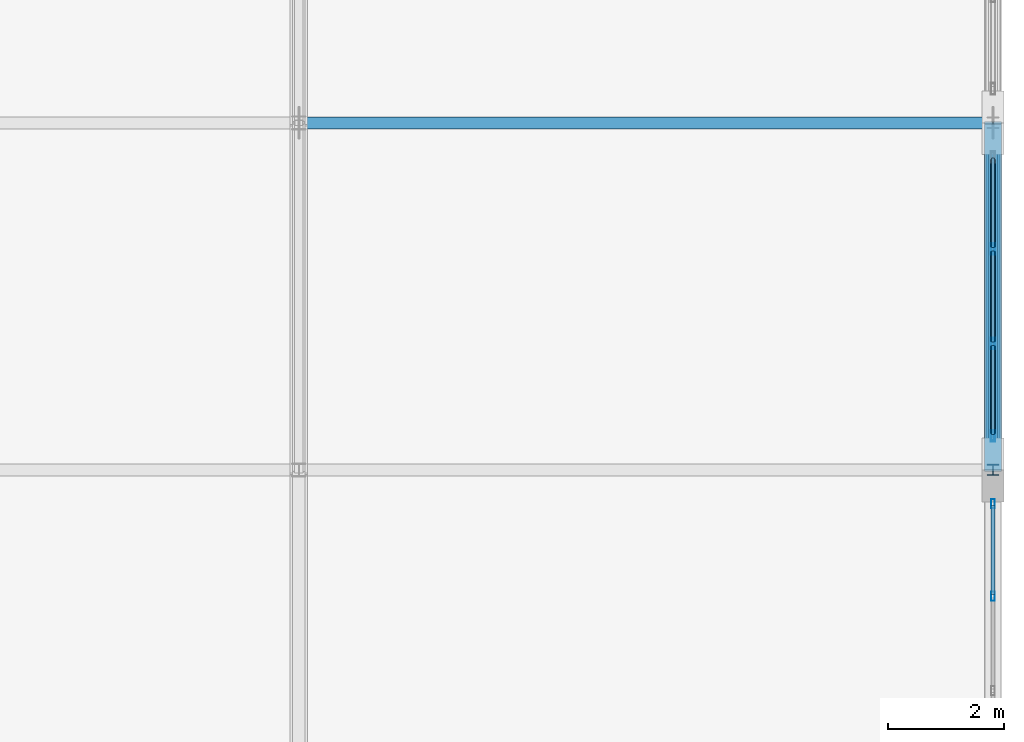
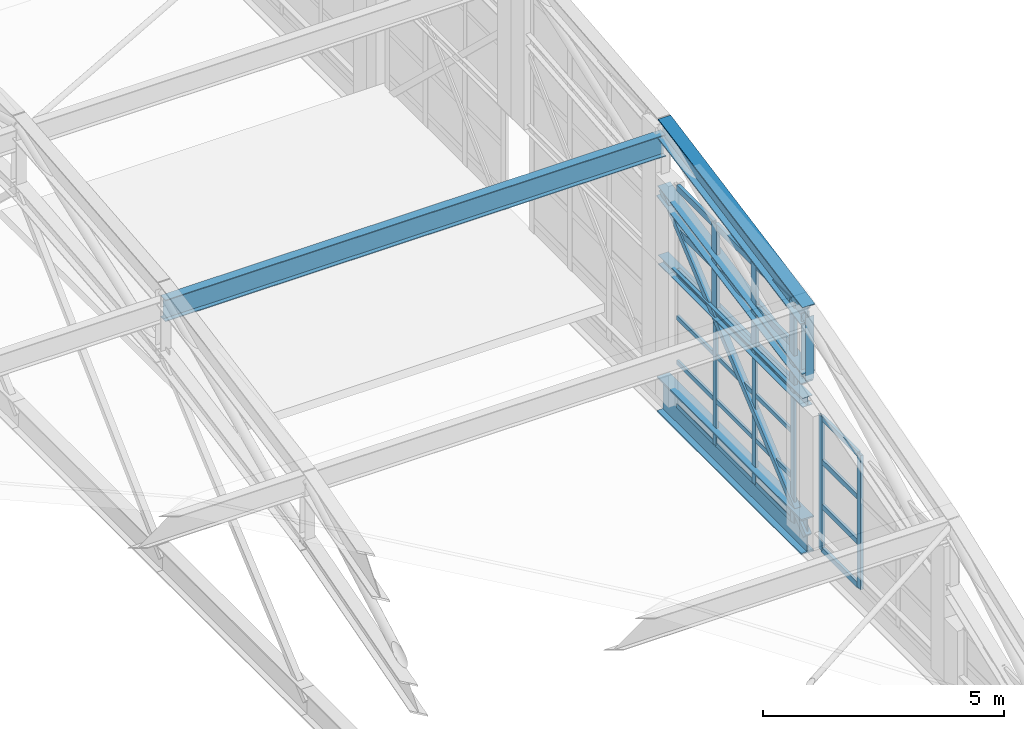
# One storey, part 133 of 204: 40 members, 3 elements without a shape of their own.
"""IFC4 building model written with IfcOpenShell, lengths in metres."""

from ifc_helpers import new_model, si_unit, direction, frame, origin, origin_2d, place, context, subcontext, project, spatial, hollow_rectangle, i_section, extrude, material, layer, layer_set, material_profile, profile_set, type_object, element, aggregate, save


model = new_model("IFC4")

# Units and contexts
model_context = context("Model", 3, precision=1e-05, world=origin(), true_north=direction((0.0, 1.0)))
body_context = subcontext(model_context, "Body", "Model", "MODEL_VIEW")
ifc_project = project(units=[si_unit("LENGTHUNIT", "METRE"), si_unit("AREAUNIT", "SQUARE_METRE"), si_unit("VOLUMEUNIT", "CUBIC_METRE"), si_unit("PLANEANGLEUNIT", "RADIAN"), si_unit("MASSUNIT", "GRAM", prefix="KILO")], contexts=[model_context])

# Site, building, storey
site_placement = place(None, origin())
site = spatial("IfcSite", under=ifc_project, at=site_placement, CompositionType="ELEMENT")
building_placement = place(site_placement, origin())
building = spatial("IfcBuilding", under=site, at=building_placement, Name="Zilviju Railside Exhibition Hall", CompositionType="ELEMENT")
storey_placement = place(building_placement, frame((0.0, 0.0, 21.0)))
storey = spatial("IfcBuildingStorey", under=building, at=storey_placement, Name="RF", CompositionType="ELEMENT", Elevation=21.0)

# Curtain wall, members
ifc_material_1 = material(Name="Thermally broken aluminium-steel triple-glazed curtain wall", Category="steel")
ifc_layer_1 = layer(ifc_material_1, 0.179931640625)
ifc_layer_set_1 = layer_set([ifc_layer_1], Name="Thermally broken aluminium-steel triple-glazed curtain wall")
curtain_wall_type_1 = type_object("IfcCurtainWallType", Name="CW-BAY-15", PredefinedType="USERDEFINED", material=ifc_layer_set_1)
curtain_wall_1_placement = place(storey_placement, origin())
curtain_wall_1 = element("IfcCurtainWall", 1, at=curtain_wall_1_placement, inside=storey, type_object=curtain_wall_type_1, Name="North Hall Arch Lower Tympanum Glazing East P3", ObjectType="GLAZED CURTAIN WALL", PredefinedType="USERDEFINED")
ifc_material_2 = material(Name="Thermally broken anodized aluminium mullion", Category="aluminium")
ifc_material_profile_1 = material_profile(ifc_material_2, hollow_rectangle(XDim=0.06005859375, YDim=0.139892578125, WallThickness=0.0048828125, at=origin_2d()), Name="MULLION 140x60x5")
ifc_profile_set_1 = profile_set([ifc_material_profile_1], Name="Thermally broken anodized aluminium mullion")
member_type_1 = type_object("IfcMemberType", Name="CWM-60x140", PredefinedType="MULLION", material=ifc_profile_set_1)
member_1_placement = place(storey_placement, frame((216.0, 99.816650390625, -3.60009765625), z_axis=(0.0, 0.0, 1.0), x_axis=(1.0, 0.0, 0.0)))
member_1 = element("IfcMember", 2, at=member_1_placement, type_object=member_type_1, Name="CW-15 mullion 2", PredefinedType="MULLION", context=body_context, shape_type="SweptSolid", body=[
    extrude(hollow_rectangle(XDim=0.06005859375, YDim=0.139892578125, WallThickness=0.0048828125, at=origin_2d()), origin(), (0.0, 0.0, 1.0), 3.400146484375),
])
member_2_placement = place(storey_placement, frame((216.0, 98.183349609375, -3.60009765625), z_axis=(0.0, 0.0, 1.0), x_axis=(1.0, 0.0, 0.0)))
member_2 = element("IfcMember", 3, at=member_2_placement, type_object=member_type_1, Name="CW-15 mullion 3", PredefinedType="MULLION", context=body_context, shape_type="SweptSolid", body=[
    extrude(hollow_rectangle(XDim=0.06005859375, YDim=0.139892578125, WallThickness=0.0048828125, at=origin_2d()), origin(), (0.0, 0.0, 1.0), 3.400146484375),
])
member_3_placement = place(storey_placement, frame((216.0, 96.580078125, -3.60009765625), z_axis=(0.0, 0.0, 1.0), x_axis=(1.0, 0.0, 0.0)))
member_3 = element("IfcMember", 4, at=member_3_placement, type_object=member_type_1, Name="CW-15 mullion 4", PredefinedType="MULLION", context=body_context, shape_type="SweptSolid", body=[
    extrude(hollow_rectangle(XDim=0.06005859375, YDim=0.139892578125, WallThickness=0.0048828125, at=origin_2d()), origin(), (0.0, 0.0, 1.0), 3.400146484375),
])

ifc_layer_2 = layer(ifc_material_1, 0.179931640625)
ifc_layer_set_2 = layer_set([ifc_layer_2], Name="Thermally broken aluminium-steel triple-glazed curtain wall")
curtain_wall_type_2 = type_object("IfcCurtainWallType", Name="CW-BAY-14", PredefinedType="USERDEFINED", material=ifc_layer_set_2)
curtain_wall_2_placement = place(storey_placement, origin())
curtain_wall_2 = element("IfcCurtainWall", 5, at=curtain_wall_2_placement, inside=storey, type_object=curtain_wall_type_2, Name="North Hall Arch Lower Tympanum Glazing East P2", ObjectType="GLAZED CURTAIN WALL", PredefinedType="USERDEFINED")
ifc_material_profile_2 = material_profile(ifc_material_2, hollow_rectangle(XDim=0.06494140625, YDim=0.159912109375, WallThickness=0.0048828125, at=origin_2d()), Name="MULLION 160x65x5")
ifc_profile_set_2 = profile_set([ifc_material_profile_2], Name="Thermally broken anodized aluminium mullion")
member_type_2 = type_object("IfcMemberType", Name="CWM-65x160", PredefinedType="MULLION", material=ifc_profile_set_2)
member_4_placement = place(storey_placement, frame((216.0, 95.41748046875, -3.60009765625), z_axis=(0.0, 0.0, 1.0), x_axis=(1.0, 0.0, 0.0)))
member_4 = element("IfcMember", 6, at=member_4_placement, type_object=member_type_2, Name="CW-14 mullion 1", PredefinedType="MULLION", context=body_context, shape_type="SweptSolid", body=[
    extrude(hollow_rectangle(XDim=0.06494140625, YDim=0.159912109375, WallThickness=0.0048828125, at=origin_2d()), origin(), (0.0, 0.0, 1.0), 3.400146484375),
])
member_5_placement = place(storey_placement, frame((216.0, 93.816650390625, -3.60009765625), z_axis=(0.0, 0.0, 1.0), x_axis=(1.0, 0.0, 0.0)))
member_5 = element("IfcMember", 7, at=member_5_placement, type_object=member_type_2, Name="CW-14 mullion 2", PredefinedType="MULLION", context=body_context, shape_type="SweptSolid", body=[
    extrude(hollow_rectangle(XDim=0.06494140625, YDim=0.159912109375, WallThickness=0.0048828125, at=origin_2d()), origin(), (0.0, 0.0, 1.0), 3.400146484375),
])

ifc_layer_3 = layer(ifc_material_1, 0.179931640625)
ifc_layer_set_3 = layer_set([ifc_layer_3], Name="Thermally broken aluminium-steel triple-glazed curtain wall")
curtain_wall_type_3 = type_object("IfcCurtainWallType", Name="CW-BAY-02", PredefinedType="USERDEFINED", material=ifc_layer_set_3)
curtain_wall_3_placement = place(storey_placement, origin())
curtain_wall_3 = element("IfcCurtainWall", 8, at=curtain_wall_3_placement, inside=storey, type_object=curtain_wall_type_3, Name="North Hall Crown Arch Tympanum Glazing East P3", ObjectType="GLAZED CURTAIN WALL", PredefinedType="USERDEFINED")
ifc_material_profile_3 = material_profile(ifc_material_2, hollow_rectangle(XDim=0.080078125, YDim=0.199951171875, WallThickness=0.0048828125, at=origin_2d()), Name="MULLION 200x80x5")
ifc_profile_set_3 = profile_set([ifc_material_profile_3], Name="Thermally broken anodized aluminium mullion")
member_type_3 = type_object("IfcMemberType", Name="CWM-80x200", PredefinedType="MULLION", material=ifc_profile_set_3)
member_6_placement = place(storey_placement, frame((216.0, 99.816650390625, -0.199951171875), z_axis=(0.0, 0.0, 1.0), x_axis=(1.0, 0.0, 0.0)))
member_6 = element("IfcMember", 9, at=member_6_placement, type_object=member_type_3, Name="CW-02 mullion 2", PredefinedType="MULLION", context=body_context, shape_type="SweptSolid", body=[
    extrude(hollow_rectangle(XDim=0.080078125, YDim=0.199951171875, WallThickness=0.0048828125, at=origin_2d()), origin(), (0.0, 0.0, 1.0), 2.209716796875),
])
member_7_placement = place(storey_placement, frame((216.0, 98.183349609375, -0.199951171875), z_axis=(0.0, 0.0, 1.0), x_axis=(1.0, 0.0, 0.0)))
member_7 = element("IfcMember", 10, at=member_7_placement, type_object=member_type_3, Name="CW-02 mullion 3", PredefinedType="MULLION", context=body_context, shape_type="SweptSolid", body=[
    extrude(hollow_rectangle(XDim=0.080078125, YDim=0.199951171875, WallThickness=0.0048828125, at=origin_2d()), origin(), (0.0, 0.0, 1.0), 2.209716796875),
])
member_8_placement = place(storey_placement, frame((216.0, 96.590087890625, -0.199951171875), z_axis=(0.0, 0.0, 1.0), x_axis=(1.0, 0.0, 0.0)))
member_8 = element("IfcMember", 11, at=member_8_placement, type_object=member_type_3, Name="CW-02 mullion 4", PredefinedType="MULLION", context=body_context, shape_type="SweptSolid", body=[
    extrude(hollow_rectangle(XDim=0.080078125, YDim=0.199951171875, WallThickness=0.0048828125, at=origin_2d()), origin(), (0.0, 0.0, 1.0), 2.209716796875),
])

# Member
ifc_material_3 = material(Name="Thermally broken anodized aluminium transom", Category="aluminium")
ifc_material_profile_4 = material_profile(ifc_material_3, hollow_rectangle(XDim=0.06005859375, YDim=0.110107421875, WallThickness=0.0048828125, at=origin_2d()), Name="TRANSOM 110x60x5")
ifc_profile_set_4 = profile_set([ifc_material_profile_4], Name="Thermally broken anodized aluminium transom")
member_type_4 = type_object("IfcMemberType", Name="CWT-60x110", PredefinedType="USERDEFINED", material=ifc_profile_set_4)
member_9_placement = place(storey_placement, frame((216.0, 101.389892578125, -3.570068359375), z_axis=(0.0, -1.0, 0.0), x_axis=(1.0, 0.0, 0.0)))
member_9 = element("IfcMember", 12, at=member_9_placement, type_object=member_type_4, Name="CW-15 transom 1.1", ObjectType="TRANSOM", PredefinedType="USERDEFINED", context=body_context, shape_type="SweptSolid", body=[
    extrude(hollow_rectangle(XDim=0.06005859375, YDim=0.110107421875, WallThickness=0.0048828125, at=origin_2d()), origin(), (0.0, 0.0, 1.0), 1.543212890625),
])

member_10_placement = place(storey_placement, frame((216.0, 101.389892578125, -2.467041015625), z_axis=(0.0, -1.0, 0.0), x_axis=(1.0, 0.0, 0.0)))
member_10 = element("IfcMember", 13, at=member_10_placement, type_object=member_type_4, Name="CW-15 transom 1.2", ObjectType="TRANSOM", PredefinedType="USERDEFINED", context=body_context, shape_type="SweptSolid", body=[
    extrude(hollow_rectangle(XDim=0.06005859375, YDim=0.110107421875, WallThickness=0.0048828125, at=origin_2d()), origin(), (0.0, 0.0, 1.0), 1.543212890625),
])

member_11_placement = place(storey_placement, frame((216.0, 101.389892578125, -1.3330078125), z_axis=(0.0, -1.0, 0.0), x_axis=(1.0, 0.0, 0.0)))
member_11 = element("IfcMember", 14, at=member_11_placement, type_object=member_type_4, Name="CW-15 transom 1.3", ObjectType="TRANSOM", PredefinedType="USERDEFINED", context=body_context, shape_type="SweptSolid", body=[
    extrude(hollow_rectangle(XDim=0.06005859375, YDim=0.110107421875, WallThickness=0.0048828125, at=origin_2d()), origin(), (0.0, 0.0, 1.0), 1.543212890625),
])

member_12_placement = place(storey_placement, frame((216.0, 101.389892578125, -0.22998046875), z_axis=(0.0, -1.0, 0.0), x_axis=(1.0, 0.0, 0.0)))
member_12 = element("IfcMember", 15, at=member_12_placement, type_object=member_type_4, Name="CW-15 transom 1.4", ObjectType="TRANSOM", PredefinedType="USERDEFINED", context=body_context, shape_type="SweptSolid", body=[
    extrude(hollow_rectangle(XDim=0.06005859375, YDim=0.110107421875, WallThickness=0.0048828125, at=origin_2d()), origin(), (0.0, 0.0, 1.0), 1.543212890625),
])

member_13_placement = place(storey_placement, frame((216.0, 99.78662109375, -3.570068359375), z_axis=(0.0, -1.0, 0.0), x_axis=(1.0, 0.0, 0.0)))
member_13 = element("IfcMember", 16, at=member_13_placement, type_object=member_type_4, Name="CW-15 transom 2.1", ObjectType="TRANSOM", PredefinedType="USERDEFINED", context=body_context, shape_type="SweptSolid", body=[
    extrude(hollow_rectangle(XDim=0.06005859375, YDim=0.110107421875, WallThickness=0.0048828125, at=origin_2d()), origin(), (0.0, 0.0, 1.0), 1.5732421875),
])

member_14_placement = place(storey_placement, frame((216.0, 99.78662109375, -2.467041015625), z_axis=(0.0, -1.0, 0.0), x_axis=(1.0, 0.0, 0.0)))
member_14 = element("IfcMember", 17, at=member_14_placement, type_object=member_type_4, Name="CW-15 transom 2.2", ObjectType="TRANSOM", PredefinedType="USERDEFINED", context=body_context, shape_type="SweptSolid", body=[
    extrude(hollow_rectangle(XDim=0.06005859375, YDim=0.110107421875, WallThickness=0.0048828125, at=origin_2d()), origin(), (0.0, 0.0, 1.0), 1.5732421875),
])

member_15_placement = place(storey_placement, frame((216.0, 99.78662109375, -1.3330078125), z_axis=(0.0, -1.0, 0.0), x_axis=(1.0, 0.0, 0.0)))
member_15 = element("IfcMember", 18, at=member_15_placement, type_object=member_type_4, Name="CW-15 transom 2.3", ObjectType="TRANSOM", PredefinedType="USERDEFINED", context=body_context, shape_type="SweptSolid", body=[
    extrude(hollow_rectangle(XDim=0.06005859375, YDim=0.110107421875, WallThickness=0.0048828125, at=origin_2d()), origin(), (0.0, 0.0, 1.0), 1.5732421875),
])

member_16_placement = place(storey_placement, frame((216.0, 99.78662109375, -0.22998046875), z_axis=(0.0, -1.0, 0.0), x_axis=(1.0, 0.0, 0.0)))
member_16 = element("IfcMember", 19, at=member_16_placement, type_object=member_type_4, Name="CW-15 transom 2.4", ObjectType="TRANSOM", PredefinedType="USERDEFINED", context=body_context, shape_type="SweptSolid", body=[
    extrude(hollow_rectangle(XDim=0.06005859375, YDim=0.110107421875, WallThickness=0.0048828125, at=origin_2d()), origin(), (0.0, 0.0, 1.0), 1.5732421875),
])

member_17_placement = place(storey_placement, frame((216.0, 98.1533203125, -3.570068359375), z_axis=(0.0, -1.0, 0.0), x_axis=(1.0, 0.0, 0.0)))
member_17 = element("IfcMember", 20, at=member_17_placement, type_object=member_type_4, Name="CW-15 transom 3.1", ObjectType="TRANSOM", PredefinedType="USERDEFINED", context=body_context, shape_type="SweptSolid", body=[
    extrude(hollow_rectangle(XDim=0.06005859375, YDim=0.110107421875, WallThickness=0.0048828125, at=origin_2d()), origin(), (0.0, 0.0, 1.0), 1.543212890625),
])

member_18_placement = place(storey_placement, frame((216.0, 98.1533203125, -2.467041015625), z_axis=(0.0, -1.0, 0.0), x_axis=(1.0, 0.0, 0.0)))
member_18 = element("IfcMember", 21, at=member_18_placement, type_object=member_type_4, Name="CW-15 transom 3.2", ObjectType="TRANSOM", PredefinedType="USERDEFINED", context=body_context, shape_type="SweptSolid", body=[
    extrude(hollow_rectangle(XDim=0.06005859375, YDim=0.110107421875, WallThickness=0.0048828125, at=origin_2d()), origin(), (0.0, 0.0, 1.0), 1.543212890625),
])

member_19_placement = place(storey_placement, frame((216.0, 98.1533203125, -1.3330078125), z_axis=(0.0, -1.0, 0.0), x_axis=(1.0, 0.0, 0.0)))
member_19 = element("IfcMember", 22, at=member_19_placement, type_object=member_type_4, Name="CW-15 transom 3.3", ObjectType="TRANSOM", PredefinedType="USERDEFINED", context=body_context, shape_type="SweptSolid", body=[
    extrude(hollow_rectangle(XDim=0.06005859375, YDim=0.110107421875, WallThickness=0.0048828125, at=origin_2d()), origin(), (0.0, 0.0, 1.0), 1.543212890625),
])

member_20_placement = place(storey_placement, frame((216.0, 98.1533203125, -0.22998046875), z_axis=(0.0, -1.0, 0.0), x_axis=(1.0, 0.0, 0.0)))
member_20 = element("IfcMember", 23, at=member_20_placement, type_object=member_type_4, Name="CW-15 transom 3.4", ObjectType="TRANSOM", PredefinedType="USERDEFINED", context=body_context, shape_type="SweptSolid", body=[
    extrude(hollow_rectangle(XDim=0.06005859375, YDim=0.110107421875, WallThickness=0.0048828125, at=origin_2d()), origin(), (0.0, 0.0, 1.0), 1.543212890625),
])

aggregate(curtain_wall_1, [member_1, member_2, member_3, member_9, member_10, member_11, member_12, member_13, member_14, member_15, member_16, member_17, member_18, member_19, member_20])

ifc_material_profile_5 = material_profile(ifc_material_3, hollow_rectangle(XDim=0.06494140625, YDim=0.1298828125, WallThickness=0.0048828125, at=origin_2d()), Name="TRANSOM 130x65x5")
ifc_profile_set_5 = profile_set([ifc_material_profile_5], Name="Thermally broken anodized aluminium transom")
member_type_5 = type_object("IfcMemberType", Name="CWT-65x130", PredefinedType="USERDEFINED", material=ifc_profile_set_5)
member_21_placement = place(storey_placement, frame((216.0, 95.385009765625, -3.5673828125), z_axis=(0.0, -1.0, 0.0), x_axis=(1.0, 0.0, 0.0)))
member_21 = element("IfcMember", 24, at=member_21_placement, type_object=member_type_5, Name="CW-14 transom 1.1", ObjectType="TRANSOM", PredefinedType="USERDEFINED", context=body_context, shape_type="SweptSolid", body=[
    extrude(hollow_rectangle(XDim=0.06494140625, YDim=0.1298828125, WallThickness=0.0048828125, at=origin_2d()), origin(), (0.0, 0.0, 1.0), 1.535888671875),
])

member_22_placement = place(storey_placement, frame((216.0, 95.385009765625, -2.467041015625), z_axis=(0.0, -1.0, 0.0), x_axis=(1.0, 0.0, 0.0)))
member_22 = element("IfcMember", 25, at=member_22_placement, type_object=member_type_5, Name="CW-14 transom 1.2", ObjectType="TRANSOM", PredefinedType="USERDEFINED", context=body_context, shape_type="SweptSolid", body=[
    extrude(hollow_rectangle(XDim=0.06494140625, YDim=0.1298828125, WallThickness=0.0048828125, at=origin_2d()), origin(), (0.0, 0.0, 1.0), 1.535888671875),
])

member_23_placement = place(storey_placement, frame((216.0, 95.385009765625, -1.3330078125), z_axis=(0.0, -1.0, 0.0), x_axis=(1.0, 0.0, 0.0)))
member_23 = element("IfcMember", 26, at=member_23_placement, type_object=member_type_5, Name="CW-14 transom 1.3", ObjectType="TRANSOM", PredefinedType="USERDEFINED", context=body_context, shape_type="SweptSolid", body=[
    extrude(hollow_rectangle(XDim=0.06494140625, YDim=0.1298828125, WallThickness=0.0048828125, at=origin_2d()), origin(), (0.0, 0.0, 1.0), 1.535888671875),
])

member_24_placement = place(storey_placement, frame((216.0, 95.385009765625, -0.232421875), z_axis=(0.0, -1.0, 0.0), x_axis=(1.0, 0.0, 0.0)))
member_24 = element("IfcMember", 27, at=member_24_placement, type_object=member_type_5, Name="CW-14 transom 1.4", ObjectType="TRANSOM", PredefinedType="USERDEFINED", context=body_context, shape_type="SweptSolid", body=[
    extrude(hollow_rectangle(XDim=0.06494140625, YDim=0.1298828125, WallThickness=0.0048828125, at=origin_2d()), origin(), (0.0, 0.0, 1.0), 1.535888671875),
])

aggregate(curtain_wall_2, [member_4, member_5, member_21, member_22, member_23, member_24])

ifc_material_profile_6 = material_profile(ifc_material_3, hollow_rectangle(XDim=0.080078125, YDim=0.159912109375, WallThickness=0.0048828125, at=origin_2d()), Name="TRANSOM 160x80x5")
ifc_profile_set_6 = profile_set([ifc_material_profile_6], Name="Thermally broken anodized aluminium transom")
member_type_6 = type_object("IfcMemberType", Name="CWT-80x160", PredefinedType="USERDEFINED", material=ifc_profile_set_6)
member_25_placement = place(storey_placement, frame((216.0, 101.3701171875, -0.159912109375), z_axis=(0.0, -1.0, 0.0), x_axis=(1.0, 0.0, 0.0)))
member_25 = element("IfcMember", 28, at=member_25_placement, type_object=member_type_6, Name="CW-02 transom 1.1", ObjectType="TRANSOM", PredefinedType="USERDEFINED", context=body_context, shape_type="SweptSolid", body=[
    extrude(hollow_rectangle(XDim=0.080078125, YDim=0.159912109375, WallThickness=0.0048828125, at=origin_2d()), origin(), (0.0, 0.0, 1.0), 1.513427734375),
])

member_26_placement = place(storey_placement, frame((216.0, 101.3701171875, 0.905029296875), z_axis=(0.0, -1.0, 0.0), x_axis=(1.0, 0.0, 0.0)))
member_26 = element("IfcMember", 29, at=member_26_placement, type_object=member_type_6, Name="CW-02 transom 1.2", ObjectType="TRANSOM", PredefinedType="USERDEFINED", context=body_context, shape_type="SweptSolid", body=[
    extrude(hollow_rectangle(XDim=0.080078125, YDim=0.159912109375, WallThickness=0.0048828125, at=origin_2d()), origin(), (0.0, 0.0, 1.0), 1.513427734375),
])

member_27_placement = place(storey_placement, frame((216.0, 101.3701171875, 1.969970703125), z_axis=(0.0, -1.0, 0.0), x_axis=(1.0, 0.0, 0.0)))
member_27 = element("IfcMember", 30, at=member_27_placement, type_object=member_type_6, Name="CW-02 transom 1.3", ObjectType="TRANSOM", PredefinedType="USERDEFINED", context=body_context, shape_type="SweptSolid", body=[
    extrude(hollow_rectangle(XDim=0.080078125, YDim=0.159912109375, WallThickness=0.0048828125, at=origin_2d()), origin(), (0.0, 0.0, 1.0), 1.513427734375),
])

member_28_placement = place(storey_placement, frame((216.0, 99.776611328125, -0.159912109375), z_axis=(0.0, -1.0, 0.0), x_axis=(1.0, 0.0, 0.0)))
member_28 = element("IfcMember", 31, at=member_28_placement, type_object=member_type_6, Name="CW-02 transom 2.1", ObjectType="TRANSOM", PredefinedType="USERDEFINED", context=body_context, shape_type="SweptSolid", body=[
    extrude(hollow_rectangle(XDim=0.080078125, YDim=0.159912109375, WallThickness=0.0048828125, at=origin_2d()), origin(), (0.0, 0.0, 1.0), 1.55322265625),
])

member_29_placement = place(storey_placement, frame((216.0, 99.776611328125, 0.905029296875), z_axis=(0.0, -1.0, 0.0), x_axis=(1.0, 0.0, 0.0)))
member_29 = element("IfcMember", 32, at=member_29_placement, type_object=member_type_6, Name="CW-02 transom 2.2", ObjectType="TRANSOM", PredefinedType="USERDEFINED", context=body_context, shape_type="SweptSolid", body=[
    extrude(hollow_rectangle(XDim=0.080078125, YDim=0.159912109375, WallThickness=0.0048828125, at=origin_2d()), origin(), (0.0, 0.0, 1.0), 1.55322265625),
])

member_30_placement = place(storey_placement, frame((216.0, 99.776611328125, 1.969970703125), z_axis=(0.0, -1.0, 0.0), x_axis=(1.0, 0.0, 0.0)))
member_30 = element("IfcMember", 33, at=member_30_placement, type_object=member_type_6, Name="CW-02 transom 2.3", ObjectType="TRANSOM", PredefinedType="USERDEFINED", context=body_context, shape_type="SweptSolid", body=[
    extrude(hollow_rectangle(XDim=0.080078125, YDim=0.159912109375, WallThickness=0.0048828125, at=origin_2d()), origin(), (0.0, 0.0, 1.0), 1.55322265625),
])

member_31_placement = place(storey_placement, frame((216.0, 98.143310546875, -0.159912109375), z_axis=(0.0, -1.0, 0.0), x_axis=(1.0, 0.0, 0.0)))
member_31 = element("IfcMember", 34, at=member_31_placement, type_object=member_type_6, Name="CW-02 transom 3.1", ObjectType="TRANSOM", PredefinedType="USERDEFINED", context=body_context, shape_type="SweptSolid", body=[
    extrude(hollow_rectangle(XDim=0.080078125, YDim=0.159912109375, WallThickness=0.0048828125, at=origin_2d()), origin(), (0.0, 0.0, 1.0), 1.513427734375),
])

member_32_placement = place(storey_placement, frame((216.0, 98.143310546875, 0.905029296875), z_axis=(0.0, -1.0, 0.0), x_axis=(1.0, 0.0, 0.0)))
member_32 = element("IfcMember", 35, at=member_32_placement, type_object=member_type_6, Name="CW-02 transom 3.2", ObjectType="TRANSOM", PredefinedType="USERDEFINED", context=body_context, shape_type="SweptSolid", body=[
    extrude(hollow_rectangle(XDim=0.080078125, YDim=0.159912109375, WallThickness=0.0048828125, at=origin_2d()), origin(), (0.0, 0.0, 1.0), 1.513427734375),
])

member_33_placement = place(storey_placement, frame((216.0, 98.143310546875, 1.969970703125), z_axis=(0.0, -1.0, 0.0), x_axis=(1.0, 0.0, 0.0)))
member_33 = element("IfcMember", 36, at=member_33_placement, type_object=member_type_6, Name="CW-02 transom 3.3", ObjectType="TRANSOM", PredefinedType="USERDEFINED", context=body_context, shape_type="SweptSolid", body=[
    extrude(hollow_rectangle(XDim=0.080078125, YDim=0.159912109375, WallThickness=0.0048828125, at=origin_2d()), origin(), (0.0, 0.0, 1.0), 1.513427734375),
])

aggregate(curtain_wall_3, [member_6, member_7, member_8, member_25, member_26, member_27, member_28, member_29, member_30, member_31, member_32, member_33])

# Members
ifc_material_4 = material(Name="Steel S355J2", Category="steel")
ifc_material_profile_7 = material_profile(ifc_material_4, i_section(OverallWidth=0.239990234375, OverallDepth=0.239990234375, WebThickness=0.010009765625, FlangeThickness=0.01708984375, at=origin_2d()), Name="HEB 240")
ifc_profile_set_7 = profile_set([ifc_material_profile_7], Name="Steel S355J2")
member_type_7 = type_object("IfcMemberType", Name="TR-CH-HEB240", PredefinedType="CHORD", material=ifc_profile_set_7)
member_34_placement = place(storey_placement, frame((216.0, 96.0, -0.199951171875), z_axis=(0.0, 1.0, 0.0), x_axis=(-1.0, 0.0, 0.0)))
element("IfcMember", 37, at=member_34_placement, inside=storey, type_object=member_type_7, Name="V2 Crown Gable Transom X=216.0 (96..102)", PredefinedType="CHORD", context=body_context, shape_type="SweptSolid", body=[
    extrude(i_section(OverallWidth=0.239990234375, OverallDepth=0.239990234375, WebThickness=0.010009765625, FlangeThickness=0.01708984375, at=origin_2d()), origin(), (0.0, 0.0, 1.0), 6.0),
])
ifc_material_5 = material(Name="Steel S355ML", Category="steel")
ifc_material_profile_8 = material_profile(ifc_material_5, i_section(OverallWidth=0.300048828125, OverallDepth=0.300048828125, WebThickness=0.010986328125, FlangeThickness=0.01904296875, at=origin_2d()), Name="HEB 300")
ifc_profile_set_8 = profile_set([ifc_material_profile_8], Name="Steel S355ML")
member_type_8 = type_object("IfcMemberType", Name="TR-CH-HEB300", PredefinedType="CHORD", material=ifc_profile_set_8)
member_35_placement = place(storey_placement, frame((216.0, 96.0, 0.409912109375), z_axis=(0.0, 0.98225135267, 0.187569400964), x_axis=(-1.0, 0.0, 0.0)))
element("IfcMember", 38, at=member_35_placement, inside=storey, type_object=member_type_8, Name="V2 Parabolic Arch Bottom Chord X=216.0 P3", PredefinedType="CHORD", context=body_context, shape_type="SweptSolid", body=[
    extrude(i_section(OverallWidth=0.300048828125, OverallDepth=0.300048828125, WebThickness=0.010986328125, FlangeThickness=0.01904296875, at=origin_2d()), origin(), (0.0, 0.0, 1.0), 6.1083984375),
])
ifc_material_profile_9 = material_profile(ifc_material_5, i_section(OverallWidth=0.300048828125, OverallDepth=0.5, WebThickness=0.014404296875, FlangeThickness=0.028076171875, at=origin_2d()), Name="HEB 500")
ifc_profile_set_9 = profile_set([ifc_material_profile_9], Name="Steel S355ML")
member_type_9 = type_object("IfcMemberType", Name="TR-CH-HEB500-ML", PredefinedType="CHORD", material=ifc_profile_set_9)
member_36_placement = place(storey_placement, frame((216.0, 96.0, 2.009765625), z_axis=(0.0, 0.98225135267, 0.187569400964), x_axis=(-1.0, 0.0, 0.0)))
element("IfcMember", 39, at=member_36_placement, inside=storey, type_object=member_type_9, Name="V2 Parabolic Arch Top Chord X=216.0 P3", PredefinedType="CHORD", context=body_context, shape_type="SweptSolid", body=[
    extrude(i_section(OverallWidth=0.300048828125, OverallDepth=0.5, WebThickness=0.014404296875, FlangeThickness=0.028076171875, at=origin_2d()), origin(), (0.0, 0.0, 1.0), 6.1083984375),
])
ifc_material_profile_10 = material_profile(ifc_material_5, i_section(OverallWidth=0.199951171875, OverallDepth=0.18994140625, WebThickness=0.006591796875, FlangeThickness=0.010009765625, at=origin_2d()), Name="HEA 200")
ifc_profile_set_10 = profile_set([ifc_material_profile_10], Name="Steel S355ML")
member_type_10 = type_object("IfcMemberType", Name="TR-POST-HEA200", PredefinedType="POST", material=ifc_profile_set_10)
member_37_placement = place(storey_placement, frame((216.0, 96.0, 0.409912109375), z_axis=(0.0, 0.0, 1.0), x_axis=(1.0, 0.0, 0.0)))
element("IfcMember", 40, at=member_37_placement, inside=storey, type_object=member_type_10, Name="V2 Parabolic Arch Web Post X=216.0 N2", PredefinedType="POST", context=body_context, shape_type="SweptSolid", body=[
    extrude(i_section(OverallWidth=0.199951171875, OverallDepth=0.18994140625, WebThickness=0.006591796875, FlangeThickness=0.010009765625, at=origin_2d()), origin(), (0.0, 0.0, 1.0), 1.599853515625),
])
ifc_material_profile_11 = material_profile(ifc_material_4, hollow_rectangle(XDim=0.14990234375, YDim=0.14990234375, WallThickness=0.008056640625, at=origin_2d()), Name="SHS 150x150x8.0")
ifc_profile_set_11 = profile_set([ifc_material_profile_11], Name="Steel S355J2")
member_type_11 = type_object("IfcMemberType", Name="TR-POST-SHS150", PredefinedType="POST", material=ifc_profile_set_11)
member_38_placement = place(storey_placement, frame((216.0, 96.0, -3.60009765625), z_axis=(0.0, 0.758449992634, 0.651731239602), x_axis=(-1.0, 0.0, 0.0)))
element("IfcMember", 41, at=member_38_placement, inside=storey, type_object=member_type_11, Name="V2 Arch Tie Hanger X=216.0 N2", PredefinedType="POST", context=body_context, shape_type="SweptSolid", body=[
    extrude(hollow_rectangle(XDim=0.14990234375, YDim=0.14990234375, WallThickness=0.008056640625, at=origin_2d()), origin(), (0.0, 0.0, 1.0), 7.910888671875),
])
ifc_material_profile_12 = material_profile(ifc_material_4, i_section(OverallWidth=0.2099609375, OverallDepth=0.550048828125, WebThickness=0.010986328125, FlangeThickness=0.01708984375, at=origin_2d()), Name="IPE 550")
ifc_profile_set_12 = profile_set([ifc_material_profile_12], Name="Steel S355J2")
member_type_12 = type_object("IfcMemberType", Name="TR-PUR-IPE550", PredefinedType="PURLIN", material=ifc_profile_set_12)
member_39_placement = place(storey_placement, frame((204.0, 102.0, 2.716796875), z_axis=(1.0, 0.0, 0.0), x_axis=(0.0, 1.0, 0.0)))
element("IfcMember", 42, at=member_39_placement, inside=storey, type_object=member_type_12, Name="V2 Barrel Vault Roof Purlin Y=102.0 (204.0..216.0)", PredefinedType="PURLIN", context=body_context, shape_type="SweptSolid", body=[
    extrude(i_section(OverallWidth=0.2099609375, OverallDepth=0.550048828125, WebThickness=0.010986328125, FlangeThickness=0.01708984375, at=origin_2d()), origin(), (0.0, 0.0, 1.0), 12.0),
])
ifc_material_profile_13 = material_profile(ifc_material_4, i_section(OverallWidth=0.300048828125, OverallDepth=0.89990234375, WebThickness=0.0185546875, FlangeThickness=0.034912109375, at=origin_2d()), Name="HEB 900")
ifc_profile_set_13 = profile_set([ifc_material_profile_13], Name="Steel S355J2")
member_type_13 = type_object("IfcMemberType", Name="TR-TIE-HEB900", PredefinedType="CHORD", material=ifc_profile_set_13)
member_40_placement = place(storey_placement, frame((216.0, 96.0, -3.60009765625), z_axis=(0.0, 1.0, 0.0), x_axis=(-1.0, 0.0, 0.0)))
element("IfcMember", 43, at=member_40_placement, inside=storey, type_object=member_type_13, Name="V2 Arch Tie Member X=216.0", PredefinedType="CHORD", context=body_context, shape_type="SweptSolid", body=[
    extrude(i_section(OverallWidth=0.300048828125, OverallDepth=0.89990234375, WebThickness=0.0185546875, FlangeThickness=0.034912109375, at=origin_2d()), origin(), (0.0, 0.0, 1.0), 6.0),
])

save(model, "model.ifc")
